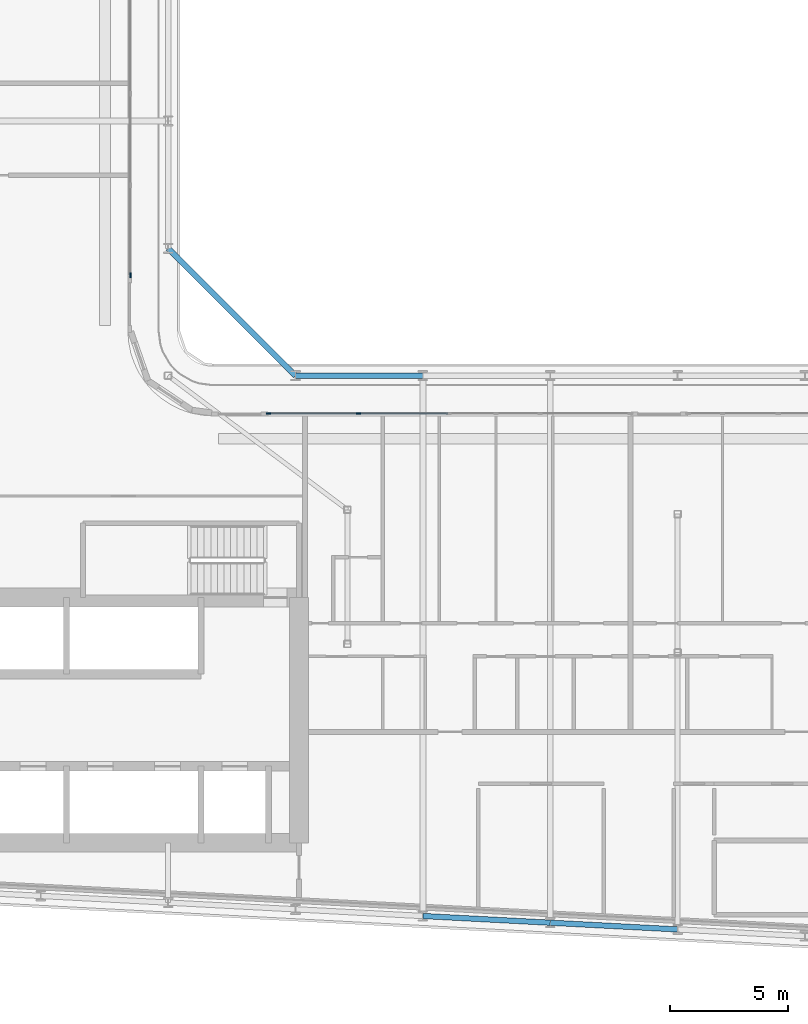
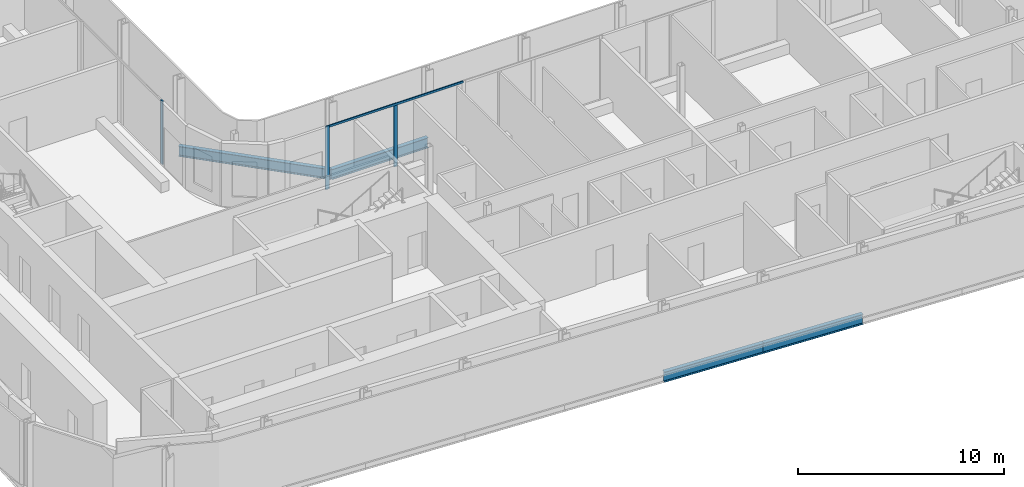
# One storey, part 6 of 30: 4 beams, 4 members, 2 elements without a shape of their own.
"""IFC4 building model written with IfcOpenShell, lengths in metres."""

from ifc_helpers import new_model, si_unit, direction, frame, origin, origin_2d, place, context, subcontext, project, spatial, rectangle, i_section, extrude, material, layer, layer_set, material_profile, profile_set, type_object, element, aggregate, save


model = new_model("IFC4")

# Units and contexts
model_context = context("Model", 3, precision=1e-05, world=origin(), true_north=direction((0.0, 1.0)))
body_context = subcontext(model_context, "Body", "Model", "MODEL_VIEW")
ifc_project = project(units=[si_unit("LENGTHUNIT", "METRE"), si_unit("AREAUNIT", "SQUARE_METRE"), si_unit("VOLUMEUNIT", "CUBIC_METRE"), si_unit("PLANEANGLEUNIT", "RADIAN"), si_unit("MASSUNIT", "GRAM", prefix="KILO")], contexts=[model_context])

# Site, building, storey
site_placement = place(None, origin())
site = spatial("IfcSite", under=ifc_project, at=site_placement, CompositionType="ELEMENT")
building_placement = place(site_placement, origin())
building = spatial("IfcBuilding", under=site, at=building_placement, Name="Kheshtan School and Residences Tower", CompositionType="ELEMENT")
storey_placement = place(building_placement, frame((0.0, 0.0, 199.39990234375)))
storey = spatial("IfcBuildingStorey", under=building, at=storey_placement, Name="L47", CompositionType="ELEMENT", Elevation=199.39990234375)

# Beams
ifc_material_1 = material(Name="Steel ASTM A992 Grade 50", Category="steel")
ifc_material_profile_1 = material_profile(ifc_material_1, i_section(OverallWidth=0.22802734375, OverallDepth=0.60302734375, WebThickness=0.010498046875, FlangeThickness=0.014892578125, FilletRadius=0.013427734375, at=origin_2d()), Name="W610x101")
ifc_profile_set_1 = profile_set([ifc_material_profile_1], Name="Steel ASTM A992 Grade 50")
beam_type = type_object("IfcBeamType", Name="Beam SP2 W610x101 ASTM A992 Grade 50", PredefinedType="BEAM", material=ifc_profile_set_1)
beam_1_placement = place(storey_placement, frame((47.60009765625, 51.0, -0.451416015625), z_axis=(0.707106781187, -0.707106781187, 0.0), x_axis=(0.707106781187, 0.707106781187, 0.0)))
element("IfcBeam", 1, at=beam_1_placement, inside=storey, type_object=beam_type, Name="Spandrel beam C079-C061", PredefinedType="BEAM", context=body_context, shape_type="SweptSolid", body=[
    extrude(i_section(OverallWidth=0.22802734375, OverallDepth=0.60302734375, WebThickness=0.010498046875, FlangeThickness=0.014892578125, FilletRadius=0.013427734375, at=origin_2d()), origin(), (0.0, 0.0, 1.0), 7.63671875),
])
beam_2_placement = place(storey_placement, frame((53.0, 45.60009765625, -0.451416015625), z_axis=(1.0, 0.0, 0.0), x_axis=(0.0, 1.0, 0.0)))
element("IfcBeam", 2, at=beam_2_placement, inside=storey, type_object=beam_type, Name="Spandrel beam C061-C062", PredefinedType="BEAM", context=body_context, shape_type="SweptSolid", body=[
    extrude(i_section(OverallWidth=0.22802734375, OverallDepth=0.60302734375, WebThickness=0.010498046875, FlangeThickness=0.014892578125, FilletRadius=0.013427734375, at=origin_2d()), origin(), (0.0, 0.0, 1.0), 5.39990234375),
])
beam_3_placement = place(storey_placement, frame((69.199951171875, 22.126953125, -0.451416015625), z_axis=(-0.998620447272, 0.05250906864, 0.0), x_axis=(-0.05250906864, -0.998620447272, 0.0)))
element("IfcBeam", 3, at=beam_3_placement, inside=storey, type_object=beam_type, Name="Spandrel beam C014-C016", PredefinedType="BEAM", context=body_context, shape_type="SweptSolid", body=[
    extrude(i_section(OverallWidth=0.22802734375, OverallDepth=0.60302734375, WebThickness=0.010498046875, FlangeThickness=0.014892578125, FilletRadius=0.013427734375, at=origin_2d()), origin(), (0.0, 0.0, 1.0), 5.407470703125),
])
beam_4_placement = place(storey_placement, frame((63.800048828125, 22.410888671875, -0.451416015625), z_axis=(-0.998618203458, 0.052551724256, 0.0), x_axis=(-0.052551724256, -0.998618203458, 0.0)))
element("IfcBeam", 4, at=beam_4_placement, inside=storey, type_object=beam_type, Name="Spandrel beam C016-C018", PredefinedType="BEAM", context=body_context, shape_type="SweptSolid", body=[
    extrude(i_section(OverallWidth=0.22802734375, OverallDepth=0.60302734375, WebThickness=0.010498046875, FlangeThickness=0.014892578125, FilletRadius=0.013427734375, at=origin_2d()), origin(), (0.0, 0.0, 1.0), 5.40771484375),
])

# Curtain wall, member
ifc_material_2 = material(Name="Clear low-e glass in thermally broken aluminium frame", Category="aluminium")
ifc_layer = layer(ifc_material_2, 0.199951171875)
ifc_layer_set = layer_set([ifc_layer], Name="Curtain wall CW-L")
curtain_wall_type = type_object("IfcCurtainWallType", Name="Curtain wall CW-L", PredefinedType="NOTDEFINED", material=ifc_layer_set)
curtain_wall_1_placement = place(storey_placement, origin())
curtain_wall_1 = element("IfcCurtainWall", 5, at=curtain_wall_1_placement, inside=storey, type_object=curtain_wall_type, Name="Curtain wall CWL8", PredefinedType="NOTDEFINED")
ifc_material_3 = material(Name="Thermally broken aluminium, dark bronze anodised", Category="aluminium")
ifc_material_profile_2 = material_profile(ifc_material_3, rectangle(XDim=0.06005859375, YDim=0.199951171875, at=origin_2d()), Name="CW-L mullion 60x200")
ifc_profile_set_2 = profile_set([ifc_material_profile_2], Name="Thermally broken aluminium, dark bronze anodised")
member_type_1 = type_object("IfcMemberType", Name="CW-L mullion 60x200", PredefinedType="MULLION", material=ifc_profile_set_2)
member_1_placement = place(storey_placement, frame((46.0, 49.860107421875, 0.0), z_axis=(0.0, 0.0, 1.0), x_axis=(1.0, 0.0, 0.0)))
member_1 = element("IfcMember", 6, at=member_1_placement, type_object=member_type_1, Name="CWL8 mullion 3", PredefinedType="MULLION", context=body_context, shape_type="SweptSolid", body=[
    extrude(rectangle(XDim=0.06005859375, YDim=0.199951171875, at=origin_2d()), origin(), (0.0, 0.0, 1.0), 3.75),
])
aggregate(curtain_wall_1, [member_1])

# Curtain wall, members
curtain_wall_2_placement = place(storey_placement, origin())
curtain_wall_2 = element("IfcCurtainWall", 7, at=curtain_wall_2_placement, inside=storey, type_object=curtain_wall_type, Name="Curtain wall CWL12j", PredefinedType="NOTDEFINED")
member_2_placement = place(storey_placement, frame((51.860107421875, 44.0, 0.0), z_axis=(0.0, 0.0, 1.0), x_axis=(0.0, 1.0, 0.0)))
member_2 = element("IfcMember", 8, at=member_2_placement, type_object=member_type_1, Name="CWL12j mullion 1", PredefinedType="MULLION", context=body_context, shape_type="SweptSolid", body=[
    extrude(rectangle(XDim=0.06005859375, YDim=0.199951171875, at=origin_2d()), origin(), (0.0, 0.0, 1.0), 3.75),
])
member_3_placement = place(storey_placement, frame((55.677001953125, 44.0, 0.0), z_axis=(0.0, 0.0, 1.0), x_axis=(0.0, 1.0, 0.0)))
member_3 = element("IfcMember", 9, at=member_3_placement, type_object=member_type_1, Name="CWL12j mullion 2", PredefinedType="MULLION", context=body_context, shape_type="SweptSolid", body=[
    extrude(rectangle(XDim=0.06005859375, YDim=0.199951171875, at=origin_2d()), origin(), (0.0, 0.0, 1.0), 3.630126953125),
])
ifc_material_profile_3 = material_profile(ifc_material_3, rectangle(XDim=0.06005859375, YDim=0.1201171875, at=origin_2d()), Name="CW-L transom 60x120")
ifc_profile_set_3 = profile_set([ifc_material_profile_3], Name="Thermally broken aluminium, dark bronze anodised")
member_type_2 = type_object("IfcMemberType", Name="CW-L transom 60x120", PredefinedType="USERDEFINED", material=ifc_profile_set_3)
member_4_placement = place(storey_placement, frame((51.889892578125, 44.0, 3.690185546875), z_axis=(1.0, 0.0, 0.0), x_axis=(0.0, 1.0, 0.0)))
member_4 = element("IfcMember", 10, at=member_4_placement, type_object=member_type_2, Name="CWL12j transom 1", ObjectType="TRANSOM", PredefinedType="USERDEFINED", context=body_context, shape_type="SweptSolid", body=[
    extrude(rectangle(XDim=0.06005859375, YDim=0.1201171875, at=origin_2d()), origin(), (0.0, 0.0, 1.0), 7.57421875),
])
aggregate(curtain_wall_2, [member_2, member_3, member_4])

save(model, "model.ifc")
